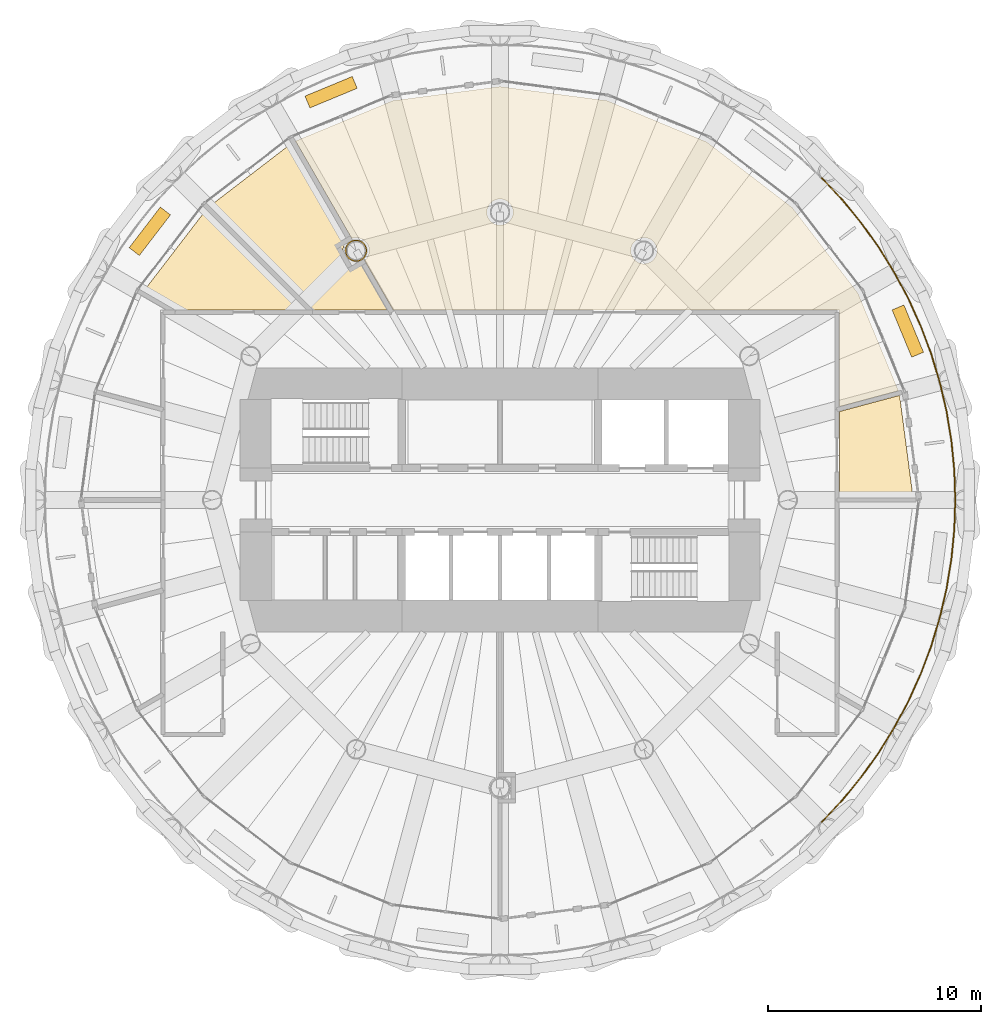
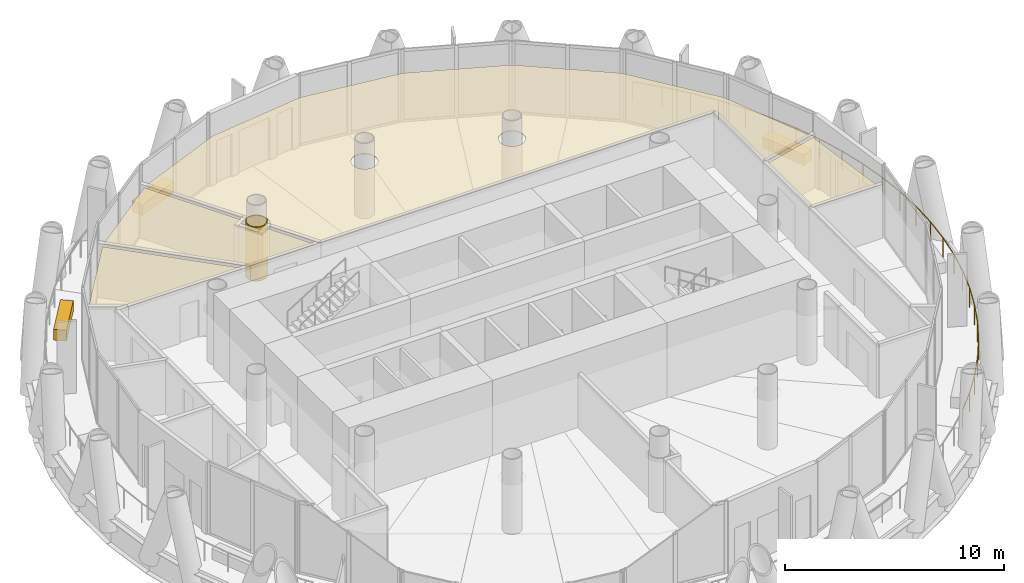
# One storey, part 14 of 15: 8 coverings, 1 railing.
"""IFC4 building model written with IfcOpenShell, lengths in metres."""

from ifc_helpers import new_model, si_unit, direction, frame, origin, origin_2d, place, context, subcontext, project, spatial, polyline, rectangle, circle, outline, extrude, material, layer, layer_set, type_object, element, save


model = new_model("IFC4")

# Units and contexts
model_context = context("Model", 3, precision=1e-05, world=origin(), true_north=direction((0.0, 1.0)))
body_context = subcontext(model_context, "Body", "Model", "MODEL_VIEW")
ifc_project = project(units=[si_unit("LENGTHUNIT", "METRE"), si_unit("AREAUNIT", "SQUARE_METRE"), si_unit("VOLUMEUNIT", "CUBIC_METRE"), si_unit("PLANEANGLEUNIT", "RADIAN"), si_unit("MASSUNIT", "GRAM", prefix="KILO")], contexts=[model_context])

# Site, building, storey
site_placement = place(None, origin())
site = spatial("IfcSite", under=ifc_project, at=site_placement, CompositionType="ELEMENT")
building_placement = place(site_placement, origin())
building = spatial("IfcBuilding", under=site, at=building_placement, Name="Qaws Media Tower", CompositionType="ELEMENT")
storey_placement = place(building_placement, frame((0.0, 0.0, 257.0)))
storey = spatial("IfcBuildingStorey", under=building, at=storey_placement, Name="L59", CompositionType="ELEMENT", Elevation=257.0)

# Coverings
ifc_material_1 = material(Name="40 perforated acoustic panels with mineral wool backing, suspended", Category="mineral fibre")
ifc_layer_1 = layer(ifc_material_1, 0.0400390625)
ifc_layer_set_1 = layer_set([ifc_layer_1], Name="Acoustic panel ceiling 40")
covering_type_1 = type_object("IfcCoveringType", Name="Acoustic panel ceiling 40", PredefinedType="CEILING", material=ifc_layer_set_1)
covering_1_placement = place(storey_placement, frame((0.0, 0.0, 2.85009765625)))
element("IfcCovering", 1, at=covering_1_placement, inside=storey, type_object=covering_type_1, Name="CL3 ceiling L59-03 Bureau newsroom", PredefinedType="CEILING", context=body_context, shape_type="SweptSolid", body=[
    extrude(outline(polyline([(54.982666015625, 68.724609375), (60.0, 69.38525390625), (65.017333984375, 68.724609375), (69.692626953125, 66.7880859375), (73.70751953125, 63.70751953125), (76.7880859375, 59.692626953125), (78.681396484375, 55.1220703125), (75.91259765625, 54.380126953125), (75.91259765625, 58.91259765625), (54.984375, 58.91259765625), (53.650146484375, 61.223388671875), (53.686279296875, 61.255126953125), (53.739501953125, 61.315673828125), (53.7841796875, 61.3828125), (53.820068359375, 61.455078125), (53.845947265625, 61.53173828125), (53.86181640625, 61.61083984375), (53.866943359375, 61.69140625), (53.86181640625, 61.77197265625), (53.845947265625, 61.85107421875), (53.820068359375, 61.927490234375), (53.7841796875, 61.999755859375), (53.739501953125, 62.06689453125), (53.686279296875, 62.127685546875), (53.62548828125, 62.180908203125), (53.55859375, 62.2255859375), (53.486083984375, 62.261474609375), (53.40966796875, 62.287353515625), (53.33056640625, 62.302978515625), (53.25, 62.308349609375), (53.16943359375, 62.302978515625), (53.09033203125, 62.287353515625), (53.044677734375, 62.27197265625), (50.412109375, 66.83154296875), (54.982666015625, 68.724609375)]), holes=[polyline([(60.570068359375, 63.263916015625), (60.595947265625, 63.34033203125), (60.61181640625, 63.41943359375), (60.616943359375, 63.5), (60.61181640625, 63.58056640625), (60.595947265625, 63.65966796875), (60.570068359375, 63.736083984375), (60.5341796875, 63.80859375), (60.489501953125, 63.87548828125), (60.436279296875, 63.936279296875), (60.37548828125, 63.989501953125), (60.30859375, 64.0341796875), (60.236083984375, 64.070068359375), (60.15966796875, 64.095947265625), (60.08056640625, 64.11181640625), (60.0, 64.116943359375), (59.91943359375, 64.11181640625), (59.84033203125, 64.095947265625), (59.763916015625, 64.070068359375), (59.69140625, 64.0341796875), (59.62451171875, 63.989501953125), (59.563720703125, 63.936279296875), (59.510498046875, 63.87548828125), (59.4658203125, 63.80859375), (59.429931640625, 63.736083984375), (59.404052734375, 63.65966796875), (59.38818359375, 63.58056640625), (59.383056640625, 63.5), (59.38818359375, 63.41943359375), (59.404052734375, 63.34033203125), (59.429931640625, 63.263916015625), (59.4658203125, 63.19140625), (59.510498046875, 63.12451171875), (59.563720703125, 63.063720703125), (59.62451171875, 63.010498046875), (59.69140625, 62.9658203125), (59.763916015625, 62.929931640625), (59.84033203125, 62.904052734375), (59.91943359375, 62.88818359375), (60.0, 62.883056640625), (60.08056640625, 62.88818359375), (60.15966796875, 62.904052734375), (60.236083984375, 62.929931640625), (60.30859375, 62.9658203125), (60.37548828125, 63.010498046875), (60.436279296875, 63.063720703125), (60.489501953125, 63.12451171875), (60.5341796875, 63.19140625), (60.570068359375, 63.263916015625)]), polyline([(67.320068359375, 61.455078125), (67.345947265625, 61.53173828125), (67.36181640625, 61.61083984375), (67.366943359375, 61.69140625), (67.36181640625, 61.77197265625), (67.345947265625, 61.85107421875), (67.320068359375, 61.927490234375), (67.2841796875, 61.999755859375), (67.239501953125, 62.06689453125), (67.186279296875, 62.127685546875), (67.12548828125, 62.180908203125), (67.05859375, 62.2255859375), (66.986083984375, 62.261474609375), (66.90966796875, 62.287353515625), (66.83056640625, 62.302978515625), (66.75, 62.308349609375), (66.66943359375, 62.302978515625), (66.59033203125, 62.287353515625), (66.513916015625, 62.261474609375), (66.44140625, 62.2255859375), (66.37451171875, 62.180908203125), (66.313720703125, 62.127685546875), (66.260498046875, 62.06689453125), (66.2158203125, 61.999755859375), (66.179931640625, 61.927490234375), (66.154052734375, 61.85107421875), (66.13818359375, 61.77197265625), (66.133056640625, 61.69140625), (66.13818359375, 61.61083984375), (66.154052734375, 61.53173828125), (66.179931640625, 61.455078125), (66.2158203125, 61.3828125), (66.260498046875, 61.315673828125), (66.313720703125, 61.255126953125), (66.37451171875, 61.201904296875), (66.44140625, 61.156982421875), (66.513916015625, 61.121337890625), (66.59033203125, 61.095458984375), (66.66943359375, 61.07958984375), (66.75, 61.07421875), (66.83056640625, 61.07958984375), (66.90966796875, 61.095458984375), (66.986083984375, 61.121337890625), (67.05859375, 61.156982421875), (67.12548828125, 61.201904296875), (67.186279296875, 61.255126953125), (67.239501953125, 61.315673828125), (67.2841796875, 61.3828125), (67.320068359375, 61.455078125)])]), origin(), (0.0, 0.0, 1.0), 0.039794921875),
])
covering_2_placement = place(storey_placement, frame((0.0, 0.0, 2.85009765625)))
element("IfcCovering", 2, at=covering_2_placement, inside=storey, type_object=covering_type_1, Name="CL3 ceiling L59-04 Broadcast booth", PredefinedType="CEILING", context=body_context, shape_type="SweptSolid", body=[
    extrude(outline(polyline([(50.21728515625, 66.718994140625), (52.849853515625, 62.159423828125), (52.813720703125, 62.127685546875), (52.760498046875, 62.06689453125), (52.7158203125, 61.999755859375), (52.679931640625, 61.927490234375), (52.654052734375, 61.85107421875), (52.63818359375, 61.77197265625), (52.633056640625, 61.69140625), (52.63818359375, 61.61083984375), (52.654052734375, 61.53173828125), (52.679931640625, 61.455078125), (52.7158203125, 61.3828125), (52.760498046875, 61.315673828125), (52.813720703125, 61.255126953125), (52.87451171875, 61.201904296875), (52.94140625, 61.156982421875), (53.013916015625, 61.121337890625), (53.09033203125, 61.095458984375), (53.16943359375, 61.07958984375), (53.25, 61.07421875), (53.33056640625, 61.07958984375), (53.40966796875, 61.095458984375), (53.455322265625, 61.11083984375), (54.724609375, 58.91259765625), (51.24658203125, 58.91259765625), (46.382568359375, 63.776611328125), (50.21728515625, 66.718994140625)])), origin(), (0.0, 0.0, 1.0), 0.039794921875),
])

# Railing
ifc_material_2 = material(Name="Stainless steel and glass guard", Category="steel")
railing_type = type_object("IfcRailingType", Name="Balcony guard 1100", PredefinedType="GUARDRAIL", material=ifc_material_2)
railing_placement = place(storey_placement, frame((75.0966796875, 34.9033203125, 0.0)))
element("IfcRailing", 3, at=railing_placement, inside=storey, type_object=railing_type, Name="GR1 balcony guard L59-4", PredefinedType="GUARDRAIL", context=body_context, shape_type="SweptSolid", body=[
    extrude(circle(Radius=0.02392578125, at=origin_2d()), frame((0.0, 0.0, 1.076171875), z_axis=(0.683662043799, 0.729798746141, 0.0), x_axis=(-0.729798746141, 0.683662043799, 0.0)), (0.0, 0.0, 1.0), 1.39697265625),
    extrude(circle(Radius=0.02392578125, at=origin_2d()), frame((0.955078125, 1.01953125, 1.076171875), z_axis=(0.634321967285, 0.773068976107, 0.0), x_axis=(-0.773068976107, 0.634321967285, 0.0)), (0.0, 0.0, 1.0), 1.397216796875),
    extrude(circle(Radius=0.02392578125, at=origin_2d()), frame((1.84130859375, 2.099609375, 1.076171875), z_axis=(0.58252663704, 0.81281161233, 0.0), x_axis=(-0.81281161233, 0.58252663704, 0.0)), (0.0, 0.0, 1.0), 1.397216796875),
    extrude(circle(Radius=0.02392578125, at=origin_2d()), frame((2.6552734375, 3.2353515625, 1.076171875), z_axis=(0.528128296649, 0.849164590806, 0.0), x_axis=(-0.849164590806, 0.528128296649, 0.0)), (0.0, 0.0, 1.0), 1.39697265625),
    extrude(circle(Radius=0.02392578125, at=origin_2d()), frame((3.39306640625, 4.421630859375, 1.076171875), z_axis=(0.471304621477, 0.881970494844, 0.0), x_axis=(-0.881970494844, 0.471304621477, 0.0)), (0.0, 0.0, 1.0), 1.39697265625),
    extrude(circle(Radius=0.02392578125, at=origin_2d()), frame((4.051513671875, 5.65380859375, 1.076171875), z_axis=(0.412775685242, 0.910832714428, 0.0), x_axis=(-0.910832714428, 0.412775685242, 0.0)), (0.0, 0.0, 1.0), 1.39697265625),
    extrude(circle(Radius=0.02392578125, at=origin_2d()), frame((4.628173828125, 6.92626953125, 1.076171875), z_axis=(0.352272140511, 0.935897611398, 0.0), x_axis=(-0.935897611398, 0.352272140511, 0.0)), (0.0, 0.0, 1.0), 1.397216796875),
    extrude(circle(Radius=0.02392578125, at=origin_2d()), frame((5.120361328125, 8.23388671875, 1.076171875), z_axis=(0.290264443435, 0.956946473361, 0.0), x_axis=(-0.956946473361, 0.290264443435, 0.0)), (0.0, 0.0, 1.0), 1.39697265625),
    extrude(circle(Radius=0.02392578125, at=origin_2d()), frame((5.52587890625, 9.57080078125, 1.076171875), z_axis=(0.227003112926, 0.973894032594, 0.0), x_axis=(-0.973894032594, 0.227003112926, 0.0)), (0.0, 0.0, 1.0), 1.39697265625),
    extrude(circle(Radius=0.02392578125, at=origin_2d()), frame((5.843017578125, 10.931396484375, 1.076171875), z_axis=(0.162840455093, 0.986652414067, 0.0), x_axis=(-0.986652414067, 0.162840455093, 0.0)), (0.0, 0.0, 1.0), 1.397216796875),
    extrude(circle(Radius=0.02392578125, at=origin_2d()), frame((6.070556640625, 12.31005859375, 1.076171875), z_axis=(0.098032968747, 0.995183167582, 0.0), x_axis=(-0.995183167582, 0.098032968747, 0.0)), (0.0, 0.0, 1.0), 1.397216796875),
    extrude(circle(Radius=0.02392578125, at=origin_2d()), frame((6.20751953125, 13.700439453125, 1.076171875), z_axis=(0.032855132608, 0.999460124398, 0.0), x_axis=(-0.999460124398, 0.032855132608, 0.0)), (0.0, 0.0, 1.0), 1.39697265625),
    extrude(circle(Radius=0.02392578125, at=origin_2d()), frame((6.25341796875, 15.0966796875, 1.076171875), z_axis=(-0.032855132608, 0.999460124398, 0.0), x_axis=(-0.999460124398, -0.032855132608, 0.0)), (0.0, 0.0, 1.0), 1.39697265625),
    extrude(circle(Radius=0.02392578125, at=origin_2d()), frame((6.20751953125, 16.492919921875, 1.076171875), z_axis=(-0.098032968747, 0.995183167582, 0.0), x_axis=(-0.995183167582, -0.098032968747, 0.0)), (0.0, 0.0, 1.0), 1.397216796875),
    extrude(circle(Radius=0.02392578125, at=origin_2d()), frame((6.070556640625, 17.88330078125, 1.076171875), z_axis=(-0.162840455093, 0.986652414067, 0.0), x_axis=(-0.986652414067, -0.162840455093, 0.0)), (0.0, 0.0, 1.0), 1.397216796875),
    extrude(circle(Radius=0.02392578125, at=origin_2d()), frame((5.843017578125, 19.261962890625, 1.076171875), z_axis=(-0.227003112926, 0.973894032594, 0.0), x_axis=(-0.973894032594, -0.227003112926, 0.0)), (0.0, 0.0, 1.0), 1.39697265625),
    extrude(circle(Radius=0.02392578125, at=origin_2d()), frame((5.52587890625, 20.62255859375, 1.076171875), z_axis=(-0.290264443435, 0.956946473361, 0.0), x_axis=(-0.956946473361, -0.290264443435, 0.0)), (0.0, 0.0, 1.0), 1.39697265625),
    extrude(circle(Radius=0.02392578125, at=origin_2d()), frame((5.120361328125, 21.95947265625, 1.076171875), z_axis=(-0.352272140511, 0.935897611398, 0.0), x_axis=(-0.935897611398, -0.352272140511, 0.0)), (0.0, 0.0, 1.0), 1.397216796875),
    extrude(circle(Radius=0.02392578125, at=origin_2d()), frame((4.628173828125, 23.26708984375, 1.076171875), z_axis=(-0.412775685242, 0.910832714428, 0.0), x_axis=(-0.910832714428, -0.412775685242, 0.0)), (0.0, 0.0, 1.0), 1.39697265625),
    extrude(circle(Radius=0.02392578125, at=origin_2d()), frame((4.051513671875, 24.53955078125, 1.076171875), z_axis=(-0.471304621477, 0.881970494844, 0.0), x_axis=(-0.881970494844, -0.471304621477, 0.0)), (0.0, 0.0, 1.0), 1.39697265625),
    extrude(circle(Radius=0.02392578125, at=origin_2d()), frame((3.39306640625, 25.771728515625, 1.076171875), z_axis=(-0.528128296649, 0.849164590806, 0.0), x_axis=(-0.849164590806, -0.528128296649, 0.0)), (0.0, 0.0, 1.0), 1.39697265625),
    extrude(circle(Radius=0.02392578125, at=origin_2d()), frame((2.6552734375, 26.9580078125, 1.076171875), z_axis=(-0.58252663704, 0.81281161233, 0.0), x_axis=(-0.81281161233, -0.58252663704, 0.0)), (0.0, 0.0, 1.0), 1.397216796875),
    extrude(circle(Radius=0.02392578125, at=origin_2d()), frame((1.84130859375, 28.09375, 1.076171875), z_axis=(-0.634321967285, 0.773068976107, 0.0), x_axis=(-0.773068976107, -0.634321967285, 0.0)), (0.0, 0.0, 1.0), 1.397216796875),
    extrude(circle(Radius=0.02392578125, at=origin_2d()), frame((0.955078125, 29.173828125, 1.076171875), z_axis=(-0.683662043799, 0.729798746141, 0.0), x_axis=(-0.729798746141, -0.683662043799, 0.0)), (0.0, 0.0, 1.0), 1.39697265625),
    extrude(circle(Radius=0.02099609375, at=origin_2d()), origin(), (0.0, 0.0, 1.0), 1.052001953125),
    extrude(circle(Radius=0.02099609375, at=origin_2d()), frame((0.955078125, 1.01953125, 0.0)), (0.0, 0.0, 1.0), 1.052001953125),
    extrude(circle(Radius=0.02099609375, at=origin_2d()), frame((1.84130859375, 2.099609375, 0.0)), (0.0, 0.0, 1.0), 1.052001953125),
    extrude(circle(Radius=0.02099609375, at=origin_2d()), frame((2.6552734375, 3.2353515625, 0.0)), (0.0, 0.0, 1.0), 1.052001953125),
    extrude(circle(Radius=0.02099609375, at=origin_2d()), frame((3.39306640625, 4.421630859375, 0.0)), (0.0, 0.0, 1.0), 1.052001953125),
    extrude(circle(Radius=0.02099609375, at=origin_2d()), frame((4.051513671875, 5.65380859375, 0.0)), (0.0, 0.0, 1.0), 1.052001953125),
    extrude(circle(Radius=0.02099609375, at=origin_2d()), frame((4.628173828125, 6.92626953125, 0.0)), (0.0, 0.0, 1.0), 1.052001953125),
    extrude(circle(Radius=0.02099609375, at=origin_2d()), frame((5.120361328125, 8.23388671875, 0.0)), (0.0, 0.0, 1.0), 1.052001953125),
    extrude(circle(Radius=0.02099609375, at=origin_2d()), frame((5.52587890625, 9.57080078125, 0.0)), (0.0, 0.0, 1.0), 1.052001953125),
    extrude(circle(Radius=0.02099609375, at=origin_2d()), frame((5.843017578125, 10.931396484375, 0.0)), (0.0, 0.0, 1.0), 1.052001953125),
    extrude(circle(Radius=0.02099609375, at=origin_2d()), frame((6.070556640625, 12.31005859375, 0.0)), (0.0, 0.0, 1.0), 1.052001953125),
    extrude(circle(Radius=0.02099609375, at=origin_2d()), frame((6.20751953125, 13.700439453125, 0.0)), (0.0, 0.0, 1.0), 1.052001953125),
    extrude(circle(Radius=0.02099609375, at=origin_2d()), frame((6.25341796875, 15.0966796875, 0.0)), (0.0, 0.0, 1.0), 1.052001953125),
    extrude(circle(Radius=0.02099609375, at=origin_2d()), frame((6.20751953125, 16.492919921875, 0.0)), (0.0, 0.0, 1.0), 1.052001953125),
    extrude(circle(Radius=0.02099609375, at=origin_2d()), frame((6.070556640625, 17.88330078125, 0.0)), (0.0, 0.0, 1.0), 1.052001953125),
    extrude(circle(Radius=0.02099609375, at=origin_2d()), frame((5.843017578125, 19.261962890625, 0.0)), (0.0, 0.0, 1.0), 1.052001953125),
    extrude(circle(Radius=0.02099609375, at=origin_2d()), frame((5.52587890625, 20.62255859375, 0.0)), (0.0, 0.0, 1.0), 1.052001953125),
    extrude(circle(Radius=0.02099609375, at=origin_2d()), frame((5.120361328125, 21.95947265625, 0.0)), (0.0, 0.0, 1.0), 1.052001953125),
    extrude(circle(Radius=0.02099609375, at=origin_2d()), frame((4.628173828125, 23.26708984375, 0.0)), (0.0, 0.0, 1.0), 1.052001953125),
    extrude(circle(Radius=0.02099609375, at=origin_2d()), frame((4.051513671875, 24.53955078125, 0.0)), (0.0, 0.0, 1.0), 1.052001953125),
    extrude(circle(Radius=0.02099609375, at=origin_2d()), frame((3.39306640625, 25.771728515625, 0.0)), (0.0, 0.0, 1.0), 1.052001953125),
    extrude(circle(Radius=0.02099609375, at=origin_2d()), frame((2.6552734375, 26.9580078125, 0.0)), (0.0, 0.0, 1.0), 1.052001953125),
    extrude(circle(Radius=0.02099609375, at=origin_2d()), frame((1.84130859375, 28.09375, 0.0)), (0.0, 0.0, 1.0), 1.052001953125),
    extrude(circle(Radius=0.02099609375, at=origin_2d()), frame((0.955078125, 29.173828125, 0.0)), (0.0, 0.0, 1.0), 1.052001953125),
    extrude(circle(Radius=0.02099609375, at=origin_2d()), frame((0.0, 30.193359375, 0.0)), (0.0, 0.0, 1.0), 1.052001953125),
])

# Coverings
ifc_material_3 = material(Name="Two layers 15 fire-rated gypsum board on steel framing", Category="steel")
ifc_layer_2 = layer(ifc_material_3, 0.050048828125)
ifc_layer_set_2 = layer_set([ifc_layer_2], Name="Column fire casing")
covering_type_2 = type_object("IfcCoveringType", Name="Column fire casing", PredefinedType="CLADDING", material=ifc_layer_set_2)
covering_3_placement = place(storey_placement, origin())
element("IfcCovering", 4, at=covering_3_placement, inside=storey, type_object=covering_type_2, Name="CC1 column casing L59", PredefinedType="CLADDING", context=body_context, shape_type="SweptSolid", body=[
    extrude(outline(polyline([(53.761962890625, 61.69140625), (53.757568359375, 61.62451171875), (53.74462890625, 61.558837890625), (53.722900390625, 61.495361328125), (53.693359375, 61.435302734375), (53.65625, 61.379638671875), (53.612060546875, 61.329345703125), (53.561767578125, 61.28515625), (53.506103515625, 61.247802734375), (53.44580078125, 61.21826171875), (53.382568359375, 61.19677734375), (53.31689453125, 61.18359375), (53.25, 61.17919921875), (53.18310546875, 61.18359375), (53.117431640625, 61.19677734375), (53.05419921875, 61.21826171875), (52.993896484375, 61.247802734375), (52.938232421875, 61.28515625), (52.887939453125, 61.329345703125), (52.84375, 61.379638671875), (52.806640625, 61.435302734375), (52.777099609375, 61.495361328125), (52.75537109375, 61.558837890625), (52.742431640625, 61.62451171875), (52.738037109375, 61.69140625), (52.742431640625, 61.75830078125), (52.75537109375, 61.823974609375), (52.777099609375, 61.88720703125), (52.806640625, 61.947265625), (52.84375, 62.0029296875), (52.887939453125, 62.053466796875), (52.938232421875, 62.097412109375), (52.993896484375, 62.134765625), (53.05419921875, 62.164306640625), (53.117431640625, 62.185791015625), (53.18310546875, 62.198974609375), (53.25, 62.203369140625), (53.31689453125, 62.198974609375), (53.382568359375, 62.185791015625), (53.44580078125, 62.164306640625), (53.506103515625, 62.134765625), (53.561767578125, 62.097412109375), (53.612060546875, 62.053466796875), (53.65625, 62.0029296875), (53.693359375, 61.947265625), (53.722900390625, 61.88720703125), (53.74462890625, 61.823974609375), (53.757568359375, 61.75830078125), (53.761962890625, 61.69140625)]), holes=[polyline([(53.7099609375, 61.69140625), (53.7060546875, 61.63134765625), (53.6943359375, 61.572265625), (53.675048828125, 61.515380859375), (53.6484375, 61.461181640625), (53.614990234375, 61.411376953125), (53.5751953125, 61.3662109375), (53.530029296875, 61.326416015625), (53.47998046875, 61.29296875), (53.426025390625, 61.266357421875), (53.369140625, 61.2470703125), (53.31005859375, 61.2353515625), (53.25, 61.231201171875), (53.18994140625, 61.2353515625), (53.130859375, 61.2470703125), (53.073974609375, 61.266357421875), (53.02001953125, 61.29296875), (52.969970703125, 61.326416015625), (52.9248046875, 61.3662109375), (52.885009765625, 61.411376953125), (52.8515625, 61.461181640625), (52.824951171875, 61.515380859375), (52.8056640625, 61.572265625), (52.7939453125, 61.63134765625), (52.7900390625, 61.69140625), (52.7939453125, 61.75146484375), (52.8056640625, 61.810302734375), (52.824951171875, 61.867431640625), (52.8515625, 61.92138671875), (52.885009765625, 61.971435546875), (52.9248046875, 62.0166015625), (52.969970703125, 62.056396484375), (53.02001953125, 62.089599609375), (53.073974609375, 62.1162109375), (53.130859375, 62.1357421875), (53.18994140625, 62.1474609375), (53.25, 62.1513671875), (53.31005859375, 62.1474609375), (53.369140625, 62.1357421875), (53.426025390625, 62.1162109375), (53.47998046875, 62.089599609375), (53.530029296875, 62.056396484375), (53.5751953125, 62.0166015625), (53.614990234375, 61.971435546875), (53.6484375, 61.92138671875), (53.675048828125, 61.867431640625), (53.6943359375, 61.810302734375), (53.7060546875, 61.75146484375), (53.7099609375, 61.69140625)])]), origin(), (0.0, 0.0, 1.0), 3.02001953125),
])
ifc_material_4 = material(Name="600 x 600 mineral fibre tiles in exposed grid, suspended", Category="mineral fibre")
ifc_layer_3 = layer(ifc_material_4, 0.02001953125)
ifc_layer_set_3 = layer_set([ifc_layer_3], Name="Mineral fibre tile ceiling 20")
covering_type_3 = type_object("IfcCoveringType", Name="Mineral fibre tile ceiling 20", PredefinedType="CEILING", material=ifc_layer_set_3)
covering_4_placement = place(storey_placement, frame((0.0, 0.0, 2.85009765625)))
element("IfcCovering", 5, at=covering_4_placement, inside=storey, type_object=covering_type_3, Name="CL1 ceiling L59-05 Edit room", PredefinedType="CEILING", context=body_context, shape_type="SweptSolid", body=[
    extrude(outline(polyline([(46.223388671875, 63.617431640625), (50.928466796875, 58.91259765625), (44.7880859375, 58.91259765625), (43.281005859375, 59.78271484375), (46.223388671875, 63.617431640625)])), origin(), (0.0, 0.0, 1.0), 0.02001953125),
])
ifc_material_5 = material(Name="Precast concrete planter with trailing planting", Category="concrete")
ifc_layer_4 = layer(ifc_material_5, 0.60009765625)
ifc_layer_set_4 = layer_set([ifc_layer_4], Name="Planter 2400x600")
covering_type_4 = type_object("IfcCoveringType", Name="Planter 2400x600", PredefinedType="USERDEFINED", material=ifc_layer_set_4)
for number, where, z_axis, x_axis, name in (
    (6, (79.124267578125, 57.921630859375, 0.0), (0.0, 0.0, 1.0), (-0.382683432365, 0.923879532511, 0.0), "PL1 balcony planter L59-01"),
    (7, (52.078369140625, 69.124267578125, 0.0), (0.0, 0.0, 1.0), (-0.923879532511, -0.382683432365, 0.0), "PL1 balcony planter L59-04"),
    (8, (43.57763671875, 62.601318359375, 0.0), (0.0, 0.0, 1.0), (-0.608761429009, -0.793353340291, 0.0), "PL1 balcony planter L59-05"),
):
    element("IfcCovering", number, at=place(storey_placement, frame(where, z_axis=z_axis, x_axis=x_axis)), inside=storey, type_object=covering_type_4, Name=name, ObjectType="PLANTER", PredefinedType="USERDEFINED", context=body_context, shape_type="SweptSolid", body=[
        extrude(rectangle(XDim=2.39990234375, YDim=0.60009765625, at=origin_2d()), origin(), (0.0, 0.0, 1.0), 0.60009765625),
    ])
ifc_material_6 = material(Name="Two layers 12.5 moisture-resistant plasterboard on suspended metal furring", Category="gypsum")
ifc_layer_5 = layer(ifc_material_6, 0.02490234375)
ifc_layer_set_5 = layer_set([ifc_layer_5], Name="Plasterboard ceiling 25")
covering_type_5 = type_object("IfcCoveringType", Name="Plasterboard ceiling 25", PredefinedType="CEILING", material=ifc_layer_set_5)
covering_5_placement = place(storey_placement, frame((0.0, 0.0, 2.85009765625)))
element("IfcCovering", 9, at=covering_5_placement, inside=storey, type_object=covering_type_5, Name="CL2 ceiling L59-02 Bureau reception", PredefinedType="CEILING", context=body_context, shape_type="SweptSolid", body=[
    extrude(outline(polyline([(79.370361328125, 50.112548828125), (75.91259765625, 50.112548828125), (75.91259765625, 54.147216796875), (78.739501953125, 54.90478515625), (79.370361328125, 50.112548828125)])), origin(), (0.0, 0.0, 1.0), 0.02490234375),
])

save(model, "model.ifc")
